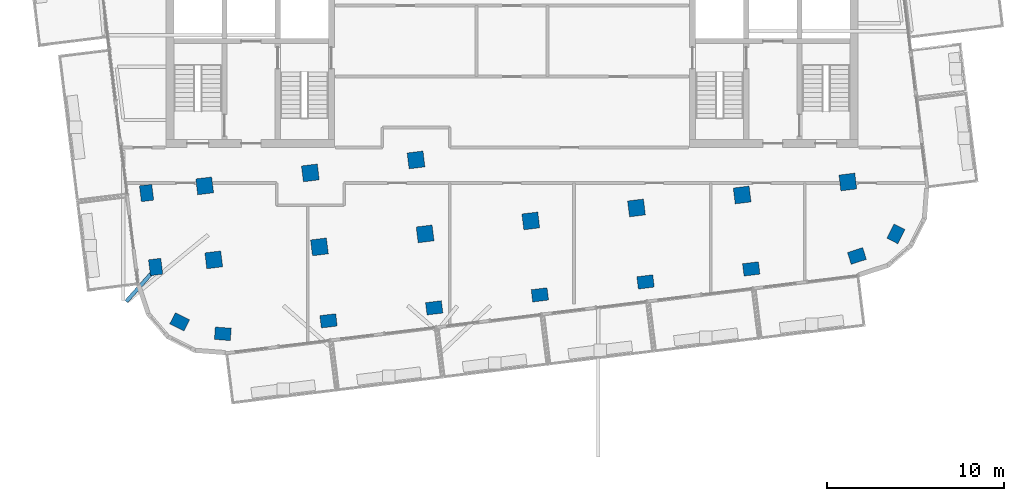
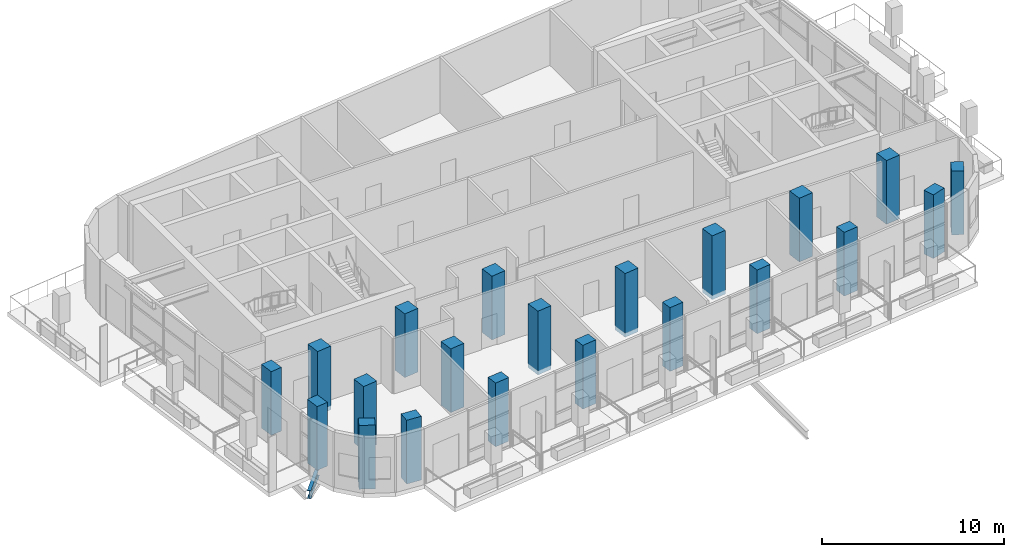
# One storey, part 1 of 13: 21 columns, 1 beam.
"""IFC4 building model written with IfcOpenShell, lengths in metres."""

import ifcopenshell
import ifcopenshell.guid

model = None  # the IFC model being written
_history = None  # IfcOwnerHistory: only IFC2X3 demands one
_inside = {}  # id of a spatial element -> (the spatial element, [elements in it])
_under = {}  # id of a project, library or spatial element -> (it, [spatial elements below it])
_declared = {}  # id of a project -> (the project, [libraries it declares])
_typed = {}  # id of a type object -> (the type object, [elements of that type])
_made_of = {}  # id of a material, layer set ... -> (it, [elements and type objects made of it])


def new_model(schema):
    """Start an empty IFC model of exactly this schema.

    Asked for "IFC4X3", IfcOpenShell would pick the latest addendum, in which some entities
    have other attributes; the version numbers below select the first issue.
    IFC2X3 requires an IfcOwnerHistory on every rooted entity: one is made here for all.
    """
    global model, _history
    if schema == "IFC4X3":
        model = ifcopenshell.file(schema_version=(4, 3, 0, 0))
    else:
        model = ifcopenshell.file(schema=schema)
    _inside.clear()
    _under.clear()
    _declared.clear()
    _typed.clear()
    _made_of.clear()
    _history = None
    if model.schema == "IFC2X3":
        org = make("IfcOrganization", Name="unknown")
        user = make(
            "IfcPersonAndOrganization",
            ThePerson=make("IfcPerson", FamilyName="unknown"),
            TheOrganization=org,
        )
        app = make(
            "IfcApplication",
            ApplicationDeveloper=org,
            Version="unknown",
            ApplicationFullName="unknown",
            ApplicationIdentifier="unknown",
        )
        _history = make(
            "IfcOwnerHistory",
            OwningUser=user,
            OwningApplication=app,
            ChangeAction="ADDED",
            CreationDate=0,
        )
    return model


def make(cls, **values):
    """One entity of the class cls with the attributes given. An attribute that is None is left unset."""
    return model.create_entity(
        cls, **{name: value for name, value in values.items() if value is not None}
    )


def rooted(cls, **values):
    """An entity with a GlobalId (a new one), such as an element, a storey or a relation."""
    return make(cls, GlobalId=ifcopenshell.guid.new(), OwnerHistory=_history, **values)


def si_unit(unit_type, name, prefix=None):
    """IfcSIUnit, for example si_unit("LENGTHUNIT", "METRE", prefix="MILLI")."""
    return make("IfcSIUnit", UnitType=unit_type, Prefix=prefix, Name=name)


def assignment(units):
    """IfcUnitAssignment: the units of a project."""
    return None if units is None else make("IfcUnitAssignment", Units=units)


def point(xyz):
    """IfcCartesianPoint."""
    return None if xyz is None else make("IfcCartesianPoint", Coordinates=xyz)


def direction(xyz):
    """IfcDirection."""
    return None if xyz is None else make("IfcDirection", DirectionRatios=xyz)


def frame(location, z_axis=None, x_axis=None):
    """IfcAxis2Placement3D, a coordinate frame: its origin and axes. An axis left out is left unset."""
    return make(
        "IfcAxis2Placement3D",
        Location=point(location),
        Axis=direction(z_axis),
        RefDirection=direction(x_axis),
    )


def frame_2d(location, x_axis=None):
    """IfcAxis2Placement2D, a coordinate frame in the plane: its origin and x axis."""
    return make(
        "IfcAxis2Placement2D", Location=point(location), RefDirection=direction(x_axis)
    )


def origin():
    """The frame at (0, 0, 0) with its axes left unset."""
    return frame((0.0, 0.0, 0.0))


def origin_2d():
    """The frame at (0, 0) in the plane with its x axis left unset."""
    return frame_2d((0.0, 0.0))


def place(relative_to, where):
    """IfcLocalPlacement: puts the frame where relative to a parent placement (None: the world)."""
    return make(
        "IfcLocalPlacement", PlacementRelTo=relative_to, RelativePlacement=where
    )


def context(
    kind, dimensions, precision=None, world=None, true_north=None, identifier=None
):
    """IfcGeometricRepresentationContext, for example the 3D "Model" context."""
    return make(
        "IfcGeometricRepresentationContext",
        ContextIdentifier=identifier,
        ContextType=kind,
        CoordinateSpaceDimension=dimensions,
        Precision=precision,
        WorldCoordinateSystem=world,
        TrueNorth=true_north,
    )


def subcontext(parent, identifier, kind, view, scale=None):
    """IfcGeometricRepresentationSubContext, for example "Body" below "Model"."""
    return make(
        "IfcGeometricRepresentationSubContext",
        ContextIdentifier=identifier,
        ContextType=kind,
        ParentContext=parent,
        TargetScale=scale,
        TargetView=view,
    )


def project(units=None, contexts=None):
    """IfcProject with its units and contexts."""
    return rooted(
        "IfcProject",
        Name="project",
        RepresentationContexts=contexts,
        UnitsInContext=assignment(units),
    )


def spatial(cls, under=None, at=None, **own):
    """A site, building, storey or space (cls), placed at a placement, below another one or the project."""
    s = rooted(cls, ObjectPlacement=at, **own)
    if under is not None:
        _under.setdefault(under.id(), (under, []))[1].append(s)
    return s


def profile(cls, at=None, kind="AREA", **sizes):
    """A parametric profile (cls). Its sizes go by their IFC names, for example OverallWidth=200.0."""
    return make(cls, ProfileType=kind, Position=at, **sizes)


def rectangle(**sizes):
    """IfcRectangleProfileDef."""
    return profile("IfcRectangleProfileDef", **sizes)


def i_section(**sizes):
    """IfcIShapeProfileDef."""
    return profile("IfcIShapeProfileDef", **sizes)


def extrude(swept, where, along, depth):
    """IfcExtrudedAreaSolid: the profile swept, set in the frame where, extruded along a direction by depth."""
    return make(
        "IfcExtrudedAreaSolid",
        SweptArea=swept,
        Position=where,
        ExtrudedDirection=direction(along),
        Depth=depth,
    )


def shape(context_of_items, identifier, shape_type, items):
    """IfcShapeRepresentation: the items that make up one representation, for example the "Body"."""
    return make(
        "IfcShapeRepresentation",
        ContextOfItems=context_of_items,
        RepresentationIdentifier=identifier,
        RepresentationType=shape_type,
        Items=items,
    )


def material(Name=None, Category=None):
    """IfcMaterial."""
    return make("IfcMaterial", Name=Name, Category=Category)


def material_profile(
    of_material, cross_section, Name=None, Category=None, Priority=None
):
    """IfcMaterialProfile: a cross section and its material."""
    return make(
        "IfcMaterialProfile",
        Name=Name,
        Material=of_material,
        Profile=cross_section,
        Priority=Priority,
        Category=Category,
    )


def profile_set(profiles, Name=None, composite=None):
    """IfcMaterialProfileSet."""
    return make(
        "IfcMaterialProfileSet",
        Name=Name,
        MaterialProfiles=profiles,
        CompositeProfile=composite,
    )


def made_of(thing, what):
    """Note that an element or type object is made of a material, layer set ...; save() writes the relation."""
    if what is not None:
        _made_of.setdefault(what.id(), (what, []))[1].append(thing)
    return thing


def type_object(cls, material=None, **own):
    """A type object (cls), such as IfcWallType, which elements share."""
    return made_of(rooted(cls, **own), material)


def element(
    cls,
    number,
    at=None,
    inside=None,
    cuts=None,
    type_object=None,
    material=None,
    context=None,
    identifier="Body",
    shape_type=None,
    held_by="IfcProductDefinitionShape",
    body=None,
    shapes=None,
    **own,
):
    """One element of the class cls, such as IfcWall. Its Tag is "e" and its number.

    at: its placement. inside: the storey or other place that contains it. cuts: it is an
    opening in that element (IfcRelVoidsElement). A single representation is given by context,
    identifier, shape_type and body (its items); several are given by shapes. held_by: the class
    of the entity that holds the representations. save() writes the other relations.
    """
    e = rooted(cls, Tag="e%d" % number, ObjectPlacement=at, **own)
    if body is not None:
        shapes = [shape(context, identifier, shape_type, body)]
    if shapes is not None:
        e.Representation = make(held_by, Representations=shapes)
    if inside is not None:
        _inside.setdefault(inside.id(), (inside, []))[1].append(e)
    if cuts is not None:
        rooted(
            "IfcRelVoidsElement", RelatingBuildingElement=cuts, RelatedOpeningElement=e
        )
    if type_object is not None:
        _typed.setdefault(type_object.id(), (type_object, []))[1].append(e)
    return made_of(e, material)


def aggregate(whole, parts):
    """IfcRelAggregates: a whole, such as a stair, and the parts it consists of."""
    return rooted("IfcRelAggregates", RelatingObject=whole, RelatedObjects=parts)


def save(model, path):
    """Write the relations noted so far, then the file.

    IfcRelAggregates (storeys below a building ...), IfcRelContainedInSpatialStructure (elements
    in a storey), IfcRelDefinesByType, IfcRelAssociatesMaterial and IfcRelDeclares: one each for
    every whole, place, type object, material and project.
    """
    for whole, parts in _under.values():
        aggregate(whole, parts)
    for where, things in _inside.values():
        rooted(
            "IfcRelContainedInSpatialStructure",
            RelatedElements=things,
            RelatingStructure=where,
        )
    for kind, things in _typed.values():
        rooted("IfcRelDefinesByType", RelatedObjects=things, RelatingType=kind)
    for what, things in _made_of.values():
        rooted("IfcRelAssociatesMaterial", RelatedObjects=things, RelatingMaterial=what)
    for by, libraries in _declared.values():
        rooted("IfcRelDeclares", RelatingContext=by, RelatedDefinitions=libraries)
    model.write(path)


model = new_model("IFC4")

# Units and contexts
model_context = context("Model", 3, precision=1e-05, world=origin(), true_north=direction((0.0, 1.0)))
body_context = subcontext(model_context, "Body", "Model", "MODEL_VIEW")
ifc_project = project(units=[si_unit("LENGTHUNIT", "METRE"), si_unit("AREAUNIT", "SQUARE_METRE"), si_unit("VOLUMEUNIT", "CUBIC_METRE"), si_unit("PLANEANGLEUNIT", "RADIAN"), si_unit("MASSUNIT", "GRAM", prefix="KILO")], contexts=[model_context])

# Site, building, storey
site_placement = place(None, origin())
site = spatial("IfcSite", under=ifc_project, at=site_placement, CompositionType="ELEMENT")
building_placement = place(site_placement, origin())
building = spatial("IfcBuilding", under=site, at=building_placement, Name="Torana Hotel and Residences", CompositionType="ELEMENT")
storey_placement = place(building_placement, frame((0.0, 0.0, 314.60009765625)))
storey = spatial("IfcBuildingStorey", under=building, at=storey_placement, Name="L83", CompositionType="ELEMENT", Elevation=314.60009765625)

# Columns
ifc_material_1 = material(Name="Concrete C45/55", Category="concrete")
ifc_material_profile_1 = material_profile(ifc_material_1, rectangle(XDim=0.89990234375, YDim=0.699951171875, at=origin_2d()), Name="RC 900x700")
ifc_profile_set_1 = profile_set([ifc_material_profile_1], Name="Concrete C45/55")
column_type_1 = type_object("IfcColumnType", Name="COLUMN RC 900x700 C45/55", PredefinedType="COLUMN", material=ifc_profile_set_1)
for number, where, z_axis, x_axis, name in (
    (1, (-20.593017578125, -17.56201171875, -0.280029296875), (0.0, 0.0, 1.0), (-0.121869343405, 0.992546151641, 0.0), "Column L83"),
    (2, (-20.0810546875, -21.73095703125, -0.280029296875), (0.0, 0.0, 1.0), (-0.121869343405, 0.992546151641, 0.0), "Column L83"),
    (3, (-18.72802734375, -24.822998046875, -0.280029296875), (0.0, 0.0, 1.0), (-0.892978943411, 0.450098441037, 0.0), "Column L83"),
    (4, (-16.2939453125, -25.4970703125, -0.280029296875), (0.0, 0.0, 1.0), (-0.997251478385, 0.074091084885, 0.0), "Column L83"),
    (5, (-10.337890625, -24.76611328125, -0.280029296875), (0.0, 0.0, 1.0), (0.992546151641, 0.121869343405, 0.0), "Column L83"),
    (6, (-4.383056640625, -24.034912109375, -0.280029296875), (0.0, 0.0, 1.0), (0.992546151641, 0.121869343405, 0.0), "Column L83"),
    (7, (1.572021484375, -23.303955078125, -0.280029296875), (0.0, 0.0, 1.0), (0.992546151641, 0.121869343405, 0.0), "Column L83"),
    (8, (7.527099609375, -22.572998046875, -0.280029296875), (0.0, 0.0, 1.0), (0.992546151641, 0.121869343405, 0.0), "Column L83"),
    (9, (13.48291015625, -21.841064453125, -0.280029296875), (0.0, 0.0, 1.0), (0.992546151641, 0.121869343405, 0.0), "Column L83"),
    (10, (19.43798828125, -21.110107421875, -0.280029296875), (0.0, 0.0, 1.0), (0.949693660318, 0.313180381813, 0.0), "Column L83"),
    (11, (21.635986328125, -19.865966796875, -0.280029296875), (0.0, 0.0, 1.0), (0.450098441037, 0.892978943411, 0.0), "Column L83"),
):
    element("IfcColumn", number, at=place(storey_placement, frame(where, z_axis=z_axis, x_axis=x_axis)), inside=storey, type_object=column_type_1, Name=name, PredefinedType="COLUMN", context=body_context, shape_type="SweptSolid", body=[
        extrude(rectangle(XDim=0.89990234375, YDim=0.699951171875, at=origin_2d()), origin(), (0.0, 0.0, 1.0), 4.280029296875),
    ])
ifc_material_2 = material(Name="Concrete C45/55", Category="concrete")
ifc_material_profile_2 = material_profile(ifc_material_2, rectangle(XDim=0.89990234375, YDim=0.89990234375, at=origin_2d()), Name="RC 900x900")
ifc_profile_set_2 = profile_set([ifc_material_profile_2], Name="Concrete C45/55")
column_type_2 = type_object("IfcColumnType", Name="COLUMN RC 900x900 C45/55", PredefinedType="COLUMN", material=ifc_profile_set_2)
for number, where, z_axis, x_axis, name in (
    (12, (-17.31689453125, -17.159912109375, -0.280029296875), (0.0, 0.0, 1.0), (0.992546151641, 0.121869343405, 0.0), "Column L83"),
    (13, (-16.805908203125, -21.3291015625, -0.280029296875), (0.0, 0.0, 1.0), (0.992546151641, 0.121869343405, 0.0), "Column L83"),
    (14, (-11.362060546875, -16.428955078125, -0.280029296875), (0.0, 0.0, 1.0), (0.992546151641, 0.121869343405, 0.0), "Column L83"),
    (15, (-10.85009765625, -20.597900390625, -0.280029296875), (0.0, 0.0, 1.0), (0.992546151641, 0.121869343405, 0.0), "Column L83"),
    (16, (-5.406982421875, -15.697998046875, -0.280029296875), (0.0, 0.0, 1.0), (0.992546151641, 0.121869343405, 0.0), "Column L83"),
    (17, (-4.89501953125, -19.865966796875, -0.280029296875), (0.0, 0.0, 1.0), (0.992546151641, 0.121869343405, 0.0), "Column L83"),
    (18, (1.06005859375, -19.135009765625, -0.280029296875), (0.0, 0.0, 1.0), (0.992546151641, 0.121869343405, 0.0), "Column L83"),
    (19, (7.01611328125, -18.404052734375, -0.280029296875), (0.0, 0.0, 1.0), (0.992546151641, 0.121869343405, 0.0), "Column L83"),
    (20, (12.970947265625, -17.673095703125, -0.280029296875), (0.0, 0.0, 1.0), (0.992546151641, 0.121869343405, 0.0), "Column L83"),
    (21, (18.926025390625, -16.94189453125, -0.280029296875), (0.0, 0.0, 1.0), (0.992546151641, 0.121869343405, 0.0), "Column L83"),
):
    element("IfcColumn", number, at=place(storey_placement, frame(where, z_axis=z_axis, x_axis=x_axis)), inside=storey, type_object=column_type_2, Name=name, PredefinedType="COLUMN", context=body_context, shape_type="SweptSolid", body=[
        extrude(rectangle(XDim=0.89990234375, YDim=0.89990234375, at=origin_2d()), origin(), (0.0, 0.0, 1.0), 4.280029296875),
    ])

# Beam
ifc_material_3 = material(Name="Steel S355", Category="steel")
ifc_material_profile_3 = material_profile(ifc_material_3, i_section(OverallWidth=0.2119140625, OverallDepth=0.54443359375, WebThickness=0.0126953125, FlangeThickness=0.021240234375, FilletRadius=0.0126953125, at=origin_2d()), Name="533x210x122 UB")
ifc_profile_set_3 = profile_set([ifc_material_profile_3], Name="Steel S355")
beam_type = type_object("IfcBeamType", Name="BALCONY TIE BEAM 533x210x122 UB", PredefinedType="BEAM", material=ifc_profile_set_3)
beam_placement = place(storey_placement, frame((-21.729248046875, -23.673095703125, -0.55224609375), z_axis=(0.665819168888, 0.746113151165, 0.0), x_axis=(-0.746113151165, 0.665819168888, 0.0)))
element("IfcBeam", 22, at=beam_placement, inside=storey, type_object=beam_type, Name="Balcony tie beam", PredefinedType="BEAM", context=body_context, shape_type="SweptSolid", body=[
    extrude(i_section(OverallWidth=0.2119140625, OverallDepth=0.54443359375, WebThickness=0.0126953125, FlangeThickness=0.021240234375, FilletRadius=0.0126953125, at=origin_2d()), origin(), (0.0, 0.0, 1.0), 2.320068359375),
])

save(model, "model.ifc")
